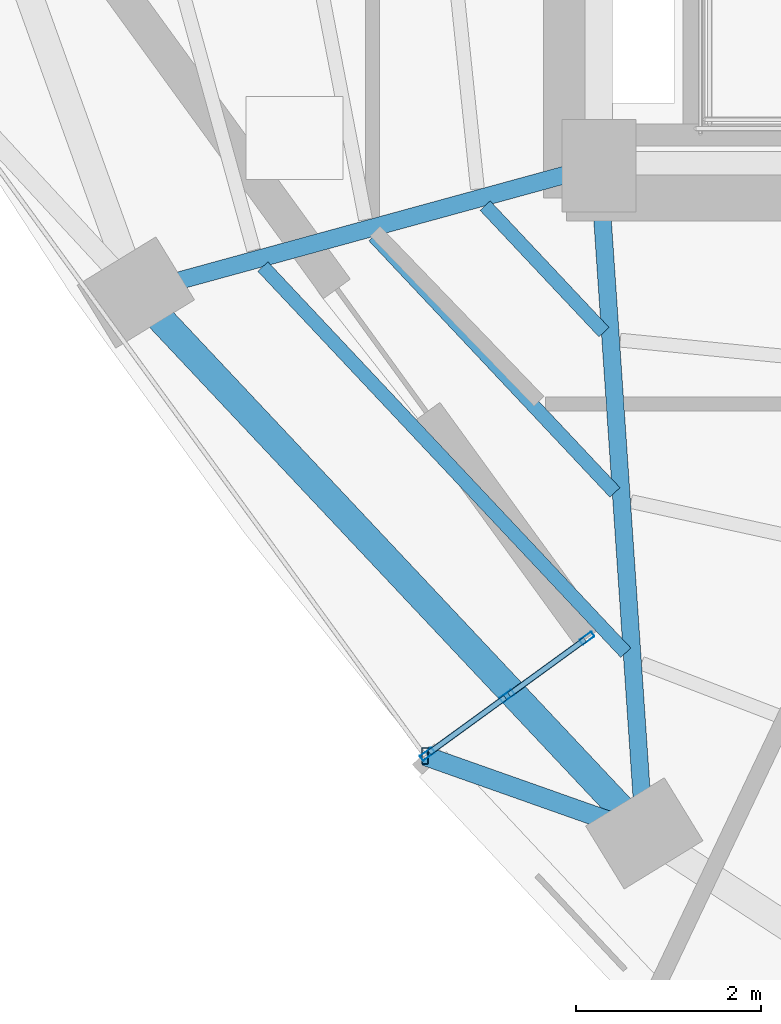
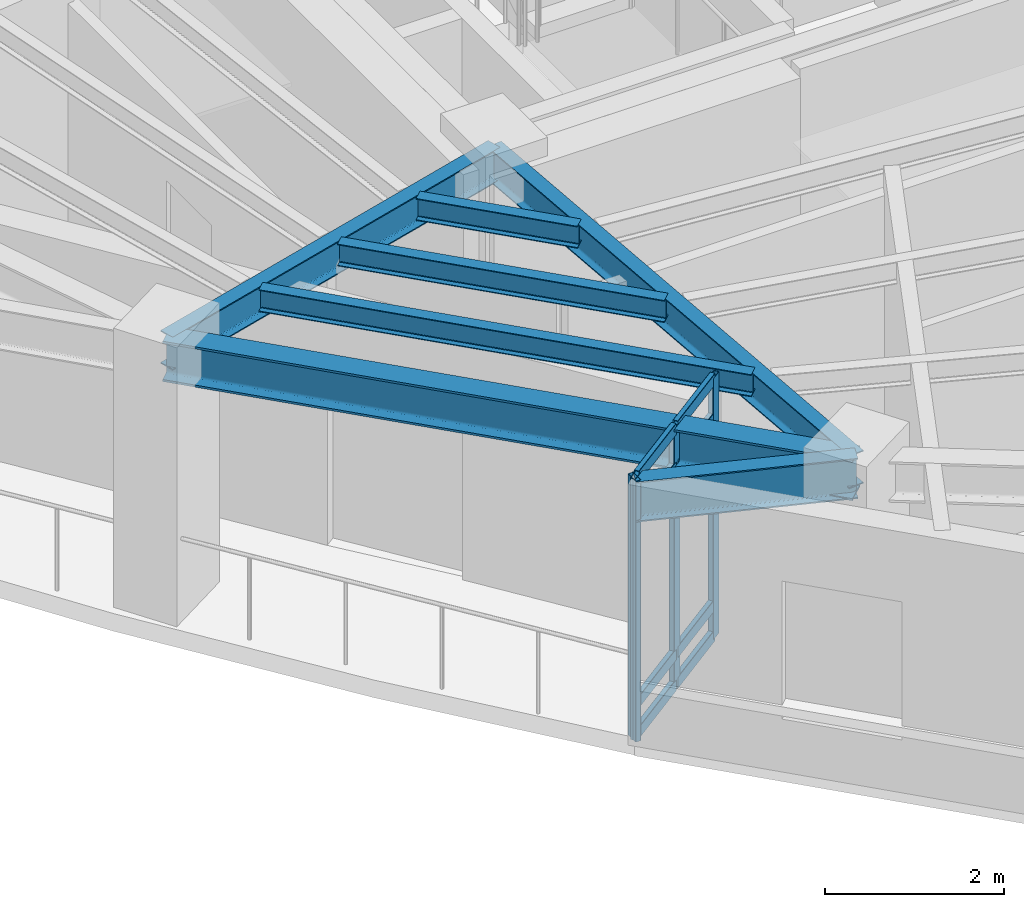
# One storey, part 2 of 13: 12 members, 7 beams, 1 element without a shape of its own.
"""IFC4 building model written with IfcOpenShell, lengths in metres."""

from ifc_helpers import new_model, si_unit, direction, frame, origin, origin_2d, place, context, subcontext, project, spatial, hollow_rectangle, i_section, extrude, material, layer, layer_set, material_profile, profile_set, type_object, element, aggregate, save


model = new_model("IFC4")

# Units and contexts
model_context = context("Model", 3, precision=1e-05, world=origin(), true_north=direction((0.0, 1.0)))
body_context = subcontext(model_context, "Body", "Model", "MODEL_VIEW")
ifc_project = project(units=[si_unit("LENGTHUNIT", "METRE"), si_unit("AREAUNIT", "SQUARE_METRE"), si_unit("VOLUMEUNIT", "CUBIC_METRE"), si_unit("PLANEANGLEUNIT", "RADIAN"), si_unit("MASSUNIT", "GRAM", prefix="KILO")], contexts=[model_context])

# Site, building, storey
site_placement = place(None, origin())
site = spatial("IfcSite", under=ifc_project, at=site_placement, CompositionType="ELEMENT")
building_placement = place(site_placement, origin())
building = spatial("IfcBuilding", under=site, at=building_placement, Name="Ndelora Gate Hotel", CompositionType="ELEMENT")
storey_placement = place(building_placement, frame((0.0, 0.0, 228.35009765625)))
storey = spatial("IfcBuildingStorey", under=building, at=storey_placement, Name="L57", CompositionType="ELEMENT", Elevation=228.35009765625)

# Beams
ifc_material_1 = material(Name="Steel S355", Category="steel")
ifc_material_profile_1 = material_profile(ifc_material_1, i_section(OverallWidth=0.14990234375, OverallDepth=0.300048828125, WebThickness=0.007080078125, FlangeThickness=0.0107421875, FilletRadius=0.014892578125, at=origin_2d()), Name="IPE 300")
ifc_profile_set_1 = profile_set([ifc_material_profile_1], Name="Steel S355")
beam_type_1 = type_object("IfcBeamType", Name="BM-JST-300", PredefinedType="JOIST", material=ifc_profile_set_1)
beam_1_placement = place(storey_placement, frame((-9.231201171875, -7.03369140625, 3.39990234375), z_axis=(0.684943115963, -0.728596546722, 0.0), x_axis=(0.728596546722, 0.684943115963, 0.0)))
element("IfcBeam", 1, at=beam_1_placement, inside=storey, type_object=beam_type_1, Name="L57 Secondary Composite Floor Joist IN-3", PredefinedType="JOIST", context=body_context, shape_type="SweptSolid", body=[
    extrude(i_section(OverallWidth=0.14990234375, OverallDepth=0.300048828125, WebThickness=0.007080078125, FlangeThickness=0.0107421875, FilletRadius=0.014892578125, at=origin_2d()), origin(), (0.0, 0.0, 1.0), 1.879150390625),
])
beam_2_placement = place(storey_placement, frame((-10.43408203125, -7.36328125, 3.39990234375), z_axis=(0.684938600536, -0.728600791584, 0.0), x_axis=(0.728600791584, 0.684938600536, 0.0)))
element("IfcBeam", 2, at=beam_2_placement, inside=storey, type_object=beam_type_1, Name="L57 Secondary Composite Floor Joist MID-3", PredefinedType="JOIST", context=body_context, shape_type="SweptSolid", body=[
    extrude(i_section(OverallWidth=0.14990234375, OverallDepth=0.300048828125, WebThickness=0.007080078125, FlangeThickness=0.0107421875, FilletRadius=0.014892578125, at=origin_2d()), origin(), (0.0, 0.0, 1.0), 3.807861328125),
])
beam_3_placement = place(storey_placement, frame((-11.636962890625, -7.693115234375, 3.39990234375), z_axis=(0.68493576734, -0.728603454986, 0.0), x_axis=(0.728603454986, 0.68493576734, 0.0)))
element("IfcBeam", 3, at=beam_3_placement, inside=storey, type_object=beam_type_1, Name="L57 Secondary Composite Floor Joist OUT-3", PredefinedType="JOIST", context=body_context, shape_type="SweptSolid", body=[
    extrude(i_section(OverallWidth=0.14990234375, OverallDepth=0.300048828125, WebThickness=0.007080078125, FlangeThickness=0.0107421875, FilletRadius=0.014892578125, at=origin_2d()), origin(), (0.0, 0.0, 1.0), 5.736328125),
])
ifc_material_profile_2 = material_profile(ifc_material_1, i_section(OverallWidth=0.18994140625, OverallDepth=0.449951171875, WebThickness=0.009521484375, FlangeThickness=0.0146484375, FilletRadius=0.02099609375, at=origin_2d()), Name="IPE 450")
ifc_profile_set_2 = profile_set([ifc_material_profile_2], Name="Steel S355")
beam_type_2 = type_object("IfcBeamType", Name="BM-RAD-450", PredefinedType="BEAM", material=ifc_profile_set_2)
beam_4_placement = place(storey_placement, frame((-8.0, -6.60009765625, 3.324951171875), z_axis=(-0.96442695542, -0.264349480157, 0.0), x_axis=(0.264349480157, -0.96442695542, 0.0)))
element("IfcBeam", 4, at=beam_4_placement, inside=storey, type_object=beam_type_2, Name="L57 Radial Floor Girder 3", PredefinedType="BEAM", context=body_context, shape_type="SweptSolid", body=[
    extrude(i_section(OverallWidth=0.18994140625, OverallDepth=0.449951171875, WebThickness=0.009521484375, FlangeThickness=0.0146484375, FilletRadius=0.02099609375, at=origin_2d()), origin(), (0.0, 0.0, 1.0), 5.19677734375),
])
beam_5_placement = place(storey_placement, frame((-8.0, -6.60009765625, 3.324951171875), z_axis=(0.067867612113, -0.997694335569, 0.0), x_axis=(0.997694335569, 0.067867612113, 0.0)))
element("IfcBeam", 5, at=beam_5_placement, inside=storey, type_object=beam_type_2, Name="L57 Radial Floor Girder 4", PredefinedType="BEAM", context=body_context, shape_type="SweptSolid", body=[
    extrude(i_section(OverallWidth=0.18994140625, OverallDepth=0.449951171875, WebThickness=0.009521484375, FlangeThickness=0.0146484375, FilletRadius=0.02099609375, at=origin_2d()), origin(), (0.0, 0.0, 1.0), 7.244873046875),
])
ifc_material_profile_3 = material_profile(ifc_material_1, i_section(OverallWidth=0.2099609375, OverallDepth=0.550048828125, WebThickness=0.010986328125, FlangeThickness=0.01708984375, FilletRadius=0.02392578125, at=origin_2d()), Name="IPE 550")
ifc_profile_set_3 = profile_set([ifc_material_profile_3], Name="Steel S355")
beam_type_3 = type_object("IfcBeamType", Name="BM-RAD-550", PredefinedType="BEAM", material=ifc_profile_set_3)
beam_6_placement = place(storey_placement, frame((-7.50830078125, -13.828369140625, 3.27490234375), z_axis=(-0.942868544611, 0.333164985529, 0.0), x_axis=(-0.333164985529, -0.942868544611, 0.0)))
element("IfcBeam", 6, at=beam_6_placement, inside=storey, type_object=beam_type_3, Name="L57 Sky-Garden Loggia Column Bracket 3", PredefinedType="BEAM", context=body_context, shape_type="SweptSolid", body=[
    extrude(i_section(OverallWidth=0.2099609375, OverallDepth=0.550048828125, WebThickness=0.010986328125, FlangeThickness=0.01708984375, FilletRadius=0.02392578125, at=origin_2d()), origin(), (0.0, 0.0, 1.0), 2.517822265625),
])
ifc_material_profile_4 = material_profile(ifc_material_1, i_section(OverallWidth=0.300048828125, OverallDepth=0.550048828125, WebThickness=0.014892578125, FlangeThickness=0.029052734375, FilletRadius=0.027099609375, at=origin_2d()), Name="HEB 550")
ifc_profile_set_4 = profile_set([ifc_material_profile_4], Name="Steel S355")
beam_type_4 = type_object("IfcBeamType", Name="BM-RING-550", PredefinedType="SPANDREL", material=ifc_profile_set_4)
beam_7_placement = place(storey_placement, frame((-13.011962890625, -7.973876953125, 3.27490234375), z_axis=(0.684939043371, -0.728600375285, 0.0), x_axis=(0.728600375285, 0.684939043371, 0.0)))
element("IfcBeam", 7, at=beam_7_placement, inside=storey, type_object=beam_type_4, Name="L57 Perimeter Spandrel Girder 3", PredefinedType="SPANDREL", context=body_context, shape_type="SweptSolid", body=[
    extrude(i_section(OverallWidth=0.300048828125, OverallDepth=0.550048828125, WebThickness=0.014892578125, FlangeThickness=0.029052734375, FilletRadius=0.027099609375, at=origin_2d()), origin(), (0.0, 0.0, 1.0), 8.03515625),
])

# Curtain wall, members
ifc_material_2 = material(Name="Bronze Anodised Unitised Aluminium and Low-E Glass", Category="aluminium")
ifc_layer = layer(ifc_material_2, 0.199951171875)
ifc_layer_set = layer_set([ifc_layer], Name="Bronze Anodised Unitised Aluminium and Low-E Glass")
curtain_wall_type = type_object("IfcCurtainWallType", Name="CW-SYS-3", PredefinedType="NOTDEFINED", material=ifc_layer_set)
curtain_wall_placement = place(storey_placement, origin())
curtain_wall = element("IfcCurtainWall", 8, at=curtain_wall_placement, inside=storey, type_object=curtain_wall_type, Name="L57 Sky-Garden Loggia Side Curtain Wall CW3-2", PredefinedType="NOTDEFINED")
ifc_material_3 = material(Name="Bronze Anodised Aluminium 6063-T6", Category="aluminium")
ifc_material_profile_5 = material_profile(ifc_material_3, hollow_rectangle(XDim=0.06494140625, YDim=0.159912109375, WallThickness=0.00390625, InnerFilletRadius=0.00390625, OuterFilletRadius=0.008056640625, at=origin_2d()), Name="ALU 160x65x4")
ifc_profile_set_5 = profile_set([ifc_material_profile_5], Name="Bronze Anodised Aluminium 6063-T6")
member_type_1 = type_object("IfcMemberType", Name="MB-CW-MUL150", PredefinedType="MULLION", material=ifc_profile_set_5)
member_1_placement = place(storey_placement, frame((-9.85595703125, -12.97021484375, -0.004150390625), z_axis=(0.0, 0.0, 1.0), x_axis=(-0.587763521074, 0.809032782583, 0.0)))
member_1 = element("IfcMember", 9, at=member_1_placement, type_object=member_type_1, Name="CW3 mullion 1", PredefinedType="MULLION", context=body_context, shape_type="SweptSolid", body=[
    extrude(hollow_rectangle(XDim=0.06494140625, YDim=0.159912109375, WallThickness=0.00390625, InnerFilletRadius=0.00390625, OuterFilletRadius=0.008056640625, at=origin_2d()), origin(), (0.0, 0.0, 1.0), 3.55810546875),
])
member_2_placement = place(storey_placement, frame((-8.992431640625, -12.3427734375, -0.004150390625), z_axis=(0.0, 0.0, 1.0), x_axis=(-0.587763521074, 0.809032782583, 0.0)))
member_2 = element("IfcMember", 10, at=member_2_placement, type_object=member_type_1, Name="CW3 mullion 2", PredefinedType="MULLION", context=body_context, shape_type="SweptSolid", body=[
    extrude(hollow_rectangle(XDim=0.06494140625, YDim=0.159912109375, WallThickness=0.00390625, InnerFilletRadius=0.00390625, OuterFilletRadius=0.008056640625, at=origin_2d()), origin(), (0.0, 0.0, 1.0), 3.55810546875),
])
member_3_placement = place(storey_placement, frame((-8.128662109375, -11.71533203125, -0.004150390625), z_axis=(0.0, 0.0, 1.0), x_axis=(-0.587763521074, 0.809032782583, 0.0)))
member_3 = element("IfcMember", 11, at=member_3_placement, type_object=member_type_1, Name="CW3 mullion 3", PredefinedType="MULLION", context=body_context, shape_type="SweptSolid", body=[
    extrude(hollow_rectangle(XDim=0.06494140625, YDim=0.159912109375, WallThickness=0.00390625, InnerFilletRadius=0.00390625, OuterFilletRadius=0.008056640625, at=origin_2d()), origin(), (0.0, 0.0, 1.0), 3.55810546875),
])
ifc_material_profile_6 = material_profile(ifc_material_3, hollow_rectangle(XDim=0.070068359375, YDim=0.179931640625, WallThickness=0.0048828125, InnerFilletRadius=0.0048828125, OuterFilletRadius=0.010009765625, at=origin_2d()), Name="ALU 180x70x5")
ifc_profile_set_6 = profile_set([ifc_material_profile_6], Name="Bronze Anodised Aluminium 6063-T6")
member_type_2 = type_object("IfcMemberType", Name="MB-CW-MUL180", PredefinedType="MULLION", material=ifc_profile_set_6)
member_4_placement = place(storey_placement, frame((-9.88232421875, -12.989501953125, 0.0), z_axis=(0.0, 0.0, 1.0), x_axis=(1.0, 0.0, 0.0)))
member_4 = element("IfcMember", 12, at=member_4_placement, type_object=member_type_2, Name="L57 Sky-Garden Loggia Corner Mullion Post 2", PredefinedType="MULLION", context=body_context, shape_type="SweptSolid", body=[
    extrude(hollow_rectangle(XDim=0.070068359375, YDim=0.179931640625, WallThickness=0.0048828125, InnerFilletRadius=0.0048828125, OuterFilletRadius=0.010009765625, at=origin_2d()), origin(), (0.0, 0.0, 1.0), 3.5498046875),
])
ifc_material_profile_7 = material_profile(ifc_material_3, hollow_rectangle(XDim=0.06494140625, YDim=0.159912109375, WallThickness=0.00390625, InnerFilletRadius=0.00390625, OuterFilletRadius=0.008056640625, at=origin_2d()), Name="ALU 160x65x4")
ifc_profile_set_7 = profile_set([ifc_material_profile_7], Name="Bronze Anodised Aluminium 6063-T6")
member_type_3 = type_object("IfcMemberType", Name="MB-CW-TRN150", PredefinedType="USERDEFINED", material=ifc_profile_set_7)
member_5_placement = place(storey_placement, frame((-9.83447265625, -12.954833984375, 0.032470703125), z_axis=(0.808975339931, 0.587842580444, 0.0), x_axis=(-0.587842580444, 0.808975339931, 0.0)))
member_5 = element("IfcMember", 13, at=member_5_placement, type_object=member_type_3, Name="CW3 transom 1.1", ObjectType="TRANSOM", PredefinedType="USERDEFINED", context=body_context, shape_type="SweptSolid", body=[
    extrude(hollow_rectangle(XDim=0.06494140625, YDim=0.159912109375, WallThickness=0.00390625, InnerFilletRadius=0.00390625, OuterFilletRadius=0.008056640625, at=origin_2d()), origin(), (0.0, 0.0, 1.0), 1.0146484375),
])
member_6_placement = place(storey_placement, frame((-9.83447265625, -12.954833984375, 0.449951171875), z_axis=(0.808975339931, 0.587842580444, 0.0), x_axis=(-0.587842580444, 0.808975339931, 0.0)))
member_6 = element("IfcMember", 14, at=member_6_placement, type_object=member_type_3, Name="CW3 transom 1.2", ObjectType="TRANSOM", PredefinedType="USERDEFINED", context=body_context, shape_type="SweptSolid", body=[
    extrude(hollow_rectangle(XDim=0.06494140625, YDim=0.159912109375, WallThickness=0.00390625, InnerFilletRadius=0.00390625, OuterFilletRadius=0.008056640625, at=origin_2d()), origin(), (0.0, 0.0, 1.0), 1.0146484375),
])
member_7_placement = place(storey_placement, frame((-9.83447265625, -12.954833984375, 3.0), z_axis=(0.808975339931, 0.587842580444, 0.0), x_axis=(-0.587842580444, 0.808975339931, 0.0)))
member_7 = element("IfcMember", 15, at=member_7_placement, type_object=member_type_3, Name="CW3 transom 1.3", ObjectType="TRANSOM", PredefinedType="USERDEFINED", context=body_context, shape_type="SweptSolid", body=[
    extrude(hollow_rectangle(XDim=0.06494140625, YDim=0.159912109375, WallThickness=0.00390625, InnerFilletRadius=0.00390625, OuterFilletRadius=0.008056640625, at=origin_2d()), origin(), (0.0, 0.0, 1.0), 1.0146484375),
])
member_8_placement = place(storey_placement, frame((-9.83447265625, -12.954833984375, 3.517333984375), z_axis=(0.808975339931, 0.587842580444, 0.0), x_axis=(-0.587842580444, 0.808975339931, 0.0)))
member_8 = element("IfcMember", 16, at=member_8_placement, type_object=member_type_3, Name="CW3 transom 1.4", ObjectType="TRANSOM", PredefinedType="USERDEFINED", context=body_context, shape_type="SweptSolid", body=[
    extrude(hollow_rectangle(XDim=0.06494140625, YDim=0.159912109375, WallThickness=0.00390625, InnerFilletRadius=0.00390625, OuterFilletRadius=0.008056640625, at=origin_2d()), origin(), (0.0, 0.0, 1.0), 1.0146484375),
])
member_9_placement = place(storey_placement, frame((-8.970947265625, -12.327392578125, 0.032470703125), z_axis=(0.808975339931, 0.587842580444, 0.0), x_axis=(-0.587842580444, 0.808975339931, 0.0)))
member_9 = element("IfcMember", 17, at=member_9_placement, type_object=member_type_3, Name="CW3 transom 2.1", ObjectType="TRANSOM", PredefinedType="USERDEFINED", context=body_context, shape_type="SweptSolid", body=[
    extrude(hollow_rectangle(XDim=0.06494140625, YDim=0.159912109375, WallThickness=0.00390625, InnerFilletRadius=0.00390625, OuterFilletRadius=0.008056640625, at=origin_2d()), origin(), (0.0, 0.0, 1.0), 1.0146484375),
])
member_10_placement = place(storey_placement, frame((-8.970947265625, -12.327392578125, 0.449951171875), z_axis=(0.808975339931, 0.587842580444, 0.0), x_axis=(-0.587842580444, 0.808975339931, 0.0)))
member_10 = element("IfcMember", 18, at=member_10_placement, type_object=member_type_3, Name="CW3 transom 2.2", ObjectType="TRANSOM", PredefinedType="USERDEFINED", context=body_context, shape_type="SweptSolid", body=[
    extrude(hollow_rectangle(XDim=0.06494140625, YDim=0.159912109375, WallThickness=0.00390625, InnerFilletRadius=0.00390625, OuterFilletRadius=0.008056640625, at=origin_2d()), origin(), (0.0, 0.0, 1.0), 1.0146484375),
])
member_11_placement = place(storey_placement, frame((-8.970947265625, -12.327392578125, 3.0), z_axis=(0.808975339931, 0.587842580444, 0.0), x_axis=(-0.587842580444, 0.808975339931, 0.0)))
member_11 = element("IfcMember", 19, at=member_11_placement, type_object=member_type_3, Name="CW3 transom 2.3", ObjectType="TRANSOM", PredefinedType="USERDEFINED", context=body_context, shape_type="SweptSolid", body=[
    extrude(hollow_rectangle(XDim=0.06494140625, YDim=0.159912109375, WallThickness=0.00390625, InnerFilletRadius=0.00390625, OuterFilletRadius=0.008056640625, at=origin_2d()), origin(), (0.0, 0.0, 1.0), 1.0146484375),
])
member_12_placement = place(storey_placement, frame((-8.970947265625, -12.327392578125, 3.517333984375), z_axis=(0.808975339931, 0.587842580444, 0.0), x_axis=(-0.587842580444, 0.808975339931, 0.0)))
member_12 = element("IfcMember", 20, at=member_12_placement, type_object=member_type_3, Name="CW3 transom 2.4", ObjectType="TRANSOM", PredefinedType="USERDEFINED", context=body_context, shape_type="SweptSolid", body=[
    extrude(hollow_rectangle(XDim=0.06494140625, YDim=0.159912109375, WallThickness=0.00390625, InnerFilletRadius=0.00390625, OuterFilletRadius=0.008056640625, at=origin_2d()), origin(), (0.0, 0.0, 1.0), 1.0146484375),
])
aggregate(curtain_wall, [member_1, member_2, member_3, member_5, member_6, member_7, member_8, member_9, member_10, member_11, member_12, member_4])

save(model, "model.ifc")
